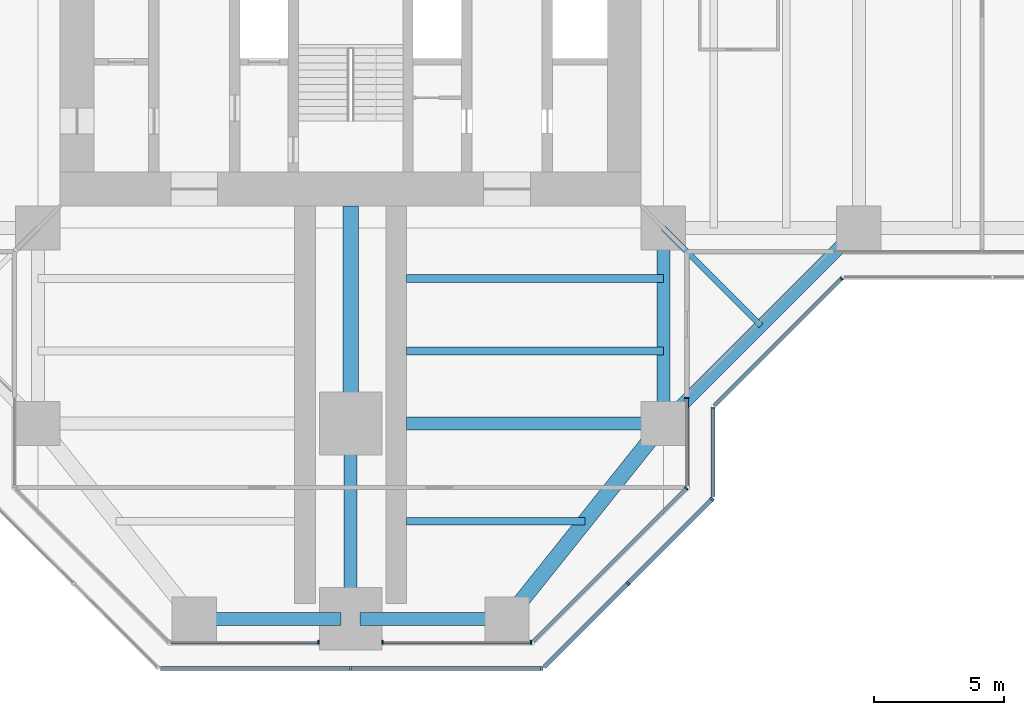
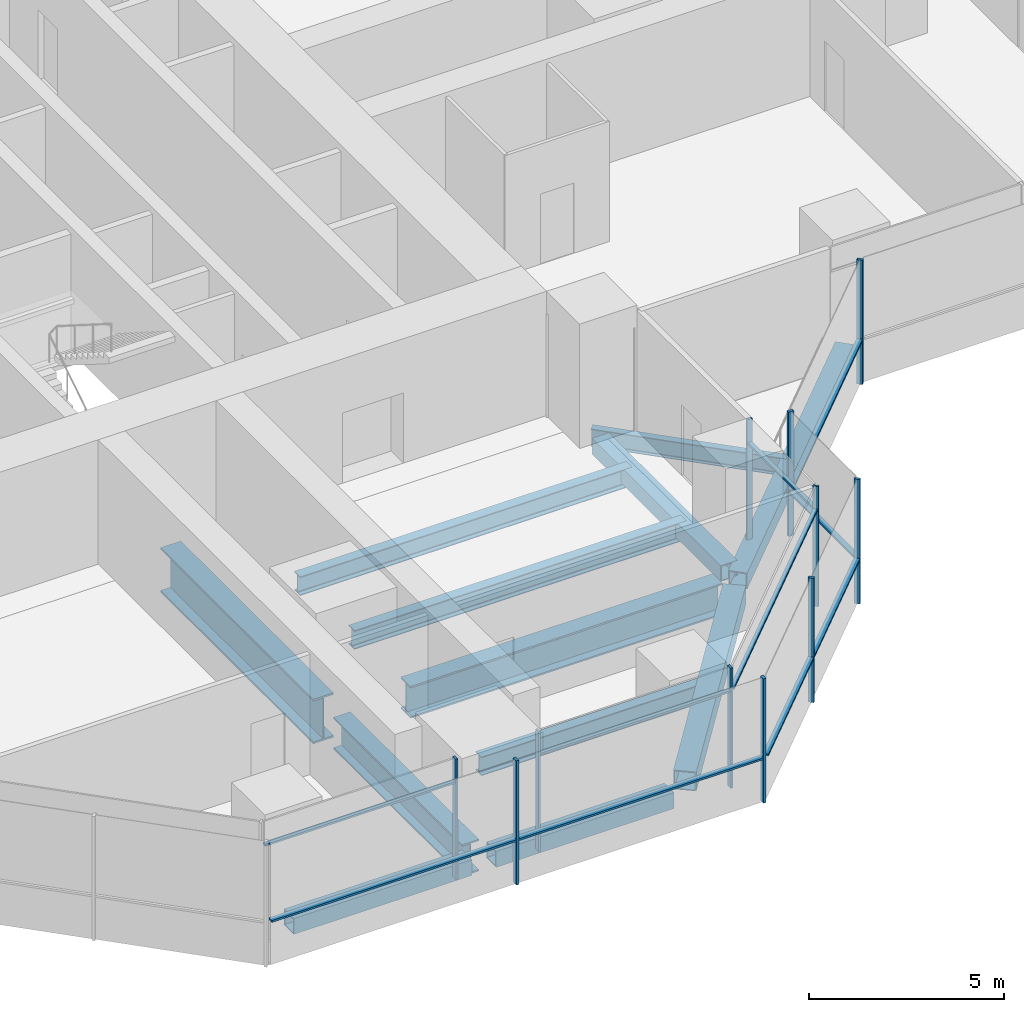
# One storey, part 4 of 20: 21 members, 12 beams, 8 elements without a shape of their own.
"""IFC4 building model written with IfcOpenShell, lengths in metres."""

from ifc_helpers import new_model, si_unit, direction, frame, origin, origin_2d, place, context, subcontext, project, spatial, rectangle, hollow_rectangle, i_section, extrude, material, material_profile, profile_set, type_object, element, aggregate, save


model = new_model("IFC4")

# Units and contexts
model_context = context("Model", 3, precision=1e-05, world=origin(), true_north=direction((0.0, 1.0)))
body_context = subcontext(model_context, "Body", "Model", "MODEL_VIEW")
ifc_project = project(units=[si_unit("LENGTHUNIT", "METRE"), si_unit("AREAUNIT", "SQUARE_METRE"), si_unit("VOLUMEUNIT", "CUBIC_METRE"), si_unit("PLANEANGLEUNIT", "RADIAN"), si_unit("MASSUNIT", "GRAM", prefix="KILO")], contexts=[model_context])

# Site, building, storey
site_placement = place(None, origin())
site = spatial("IfcSite", under=ifc_project, at=site_placement, CompositionType="ELEMENT")
building_placement = place(site_placement, origin())
building = spatial("IfcBuilding", under=site, at=building_placement, Name="Mizan Broadcast Tower", CompositionType="ELEMENT")
storey_placement = place(building_placement, frame((0.0, 0.0, 178.800048828125)))
storey = spatial("IfcBuildingStorey", under=building, at=storey_placement, Name="L41", CompositionType="ELEMENT", Elevation=178.800048828125)

# Beams
ifc_material_1 = material(Name="Steel S355", Category="steel")
ifc_material_profile_1 = material_profile(ifc_material_1, hollow_rectangle(XDim=0.5, YDim=0.5, WallThickness=0.030029296875, at=origin_2d()), Name="BOX 500x500x30")
ifc_profile_set_1 = profile_set([ifc_material_profile_1], Name="Steel S355")
beam_type_1 = type_object("IfcBeamType", Name="EDGE BEAM BOX 500x500x30", PredefinedType="SPANDREL", material=ifc_profile_set_1)
beam_1_placement = place(storey_placement, frame((-5.639892578125, -27.0, -0.380126953125), z_axis=(1.0, 0.0, 0.0), x_axis=(0.0, 1.0, 0.0)))
element("IfcBeam", 1, at=beam_1_placement, inside=storey, type_object=beam_type_1, Name="Edge beam BOX 500x500x30 L41 south arm", PredefinedType="SPANDREL", context=body_context, shape_type="SweptSolid", body=[
    extrude(hollow_rectangle(XDim=0.5, YDim=0.5, WallThickness=0.030029296875, at=origin_2d()), origin(), (0.0, 0.0, 1.0), 5.27978515625),
])
beam_2_placement = place(storey_placement, frame((12.0, -12.449951171875, -0.380126953125), z_axis=(0.0, -1.0, 0.0), x_axis=(1.0, 0.0, 0.0)))
element("IfcBeam", 2, at=beam_2_placement, inside=storey, type_object=beam_type_1, Name="Edge beam BOX 500x500x30 L41 south arm", PredefinedType="SPANDREL", context=body_context, shape_type="SweptSolid", body=[
    extrude(hollow_rectangle(XDim=0.5, YDim=0.5, WallThickness=0.030029296875, at=origin_2d()), origin(), (0.0, 0.0, 1.0), 6.60009765625),
])
beam_3_placement = place(storey_placement, frame((5.639892578125, -27.0, -0.380126953125), z_axis=(-1.0, 0.0, 0.0), x_axis=(0.0, -1.0, 0.0)))
element("IfcBeam", 3, at=beam_3_placement, inside=storey, type_object=beam_type_1, Name="Edge beam BOX 500x500x30 L41 south arm", PredefinedType="SPANDREL", context=body_context, shape_type="SweptSolid", body=[
    extrude(hollow_rectangle(XDim=0.5, YDim=0.5, WallThickness=0.030029296875, at=origin_2d()), origin(), (0.0, 0.0, 1.0), 5.27978515625),
])
beam_4_placement = place(storey_placement, frame((12.0, -19.5, -0.380126953125), z_axis=(0.707106781187, 0.707106781187, 0.0), x_axis=(-0.707106781187, 0.707106781187, 0.0)))
element("IfcBeam", 4, at=beam_4_placement, inside=storey, type_object=beam_type_1, Name="Winter garden edge beam L41 S", PredefinedType="SPANDREL", context=body_context, shape_type="SweptSolid", body=[
    extrude(hollow_rectangle(XDim=0.5, YDim=0.5, WallThickness=0.030029296875, at=origin_2d()), origin(), (0.0, 0.0, 1.0), 10.606689453125),
])
ifc_material_2 = material(Name="Steel S355", Category="steel")
ifc_material_profile_2 = material_profile(ifc_material_2, hollow_rectangle(XDim=0.60009765625, YDim=0.60009765625, WallThickness=0.030029296875, at=origin_2d()), Name="BOX 600x600x30")
ifc_profile_set_2 = profile_set([ifc_material_profile_2], Name="Steel S355")
beam_type_2 = type_object("IfcBeamType", Name="EDGE BEAM BOX 600x600x30", PredefinedType="SPANDREL", material=ifc_profile_set_2)
beam_5_placement = place(storey_placement, frame((11.639892578125, -19.949951171875, -0.429931640625), z_axis=(-0.624673911726, -0.780885717636, 0.0), x_axis=(0.780885717636, -0.624673911726, 0.0)))
element("IfcBeam", 5, at=beam_5_placement, inside=storey, type_object=beam_type_2, Name="Edge beam BOX 600x600x30 L41 south arm", PredefinedType="SPANDREL", context=body_context, shape_type="SweptSolid", body=[
    extrude(hollow_rectangle(XDim=0.60009765625, YDim=0.60009765625, WallThickness=0.030029296875, at=origin_2d()), origin(), (0.0, 0.0, 1.0), 8.4521484375),
])
ifc_material_3 = material(Name="Steel S460", Category="steel")
ifc_material_profile_3 = material_profile(ifc_material_3, i_section(OverallWidth=0.5, OverallDepth=1.0, WebThickness=0.02490234375, FlangeThickness=0.050048828125, at=origin_2d()), Name="WPG 1000x500")
ifc_profile_set_3 = profile_set([ifc_material_profile_3], Name="Steel S460")
beam_type_3 = type_object("IfcBeamType", Name="GIRDER WPG 1000x500", PredefinedType="BEAM", material=ifc_profile_set_3)
beam_6_placement = place(storey_placement, frame((0.0, -19.949951171875, -0.630126953125), z_axis=(0.0, -1.0, 0.0), x_axis=(1.0, 0.0, 0.0)))
element("IfcBeam", 6, at=beam_6_placement, inside=storey, type_object=beam_type_3, Name="Girder WPG 1000x500 L41 south arm", PredefinedType="BEAM", context=body_context, shape_type="SweptSolid", body=[
    extrude(i_section(OverallWidth=0.5, OverallDepth=1.0, WebThickness=0.02490234375, FlangeThickness=0.050048828125, at=origin_2d()), origin(), (0.0, 0.0, 1.0), 6.60009765625),
])
beam_7_placement = place(storey_placement, frame((11.408935546875, -19.5, -0.630126953125), z_axis=(-1.0, 0.0, 0.0), x_axis=(0.0, -1.0, 0.0)))
element("IfcBeam", 7, at=beam_7_placement, inside=storey, type_object=beam_type_3, Name="Girder WPG 1000x500 L41 south arm", PredefinedType="BEAM", context=body_context, shape_type="SweptSolid", body=[
    extrude(i_section(OverallWidth=0.5, OverallDepth=1.0, WebThickness=0.02490234375, FlangeThickness=0.050048828125, at=origin_2d()), origin(), (0.0, 0.0, 1.0), 9.259033203125),
])
ifc_material_4 = material(Name="Steel S460", Category="steel")
ifc_material_profile_4 = material_profile(ifc_material_4, i_section(OverallWidth=0.60009765625, OverallDepth=1.39990234375, WebThickness=0.02490234375, FlangeThickness=0.06005859375, at=origin_2d()), Name="WPG 1400x600")
ifc_profile_set_4 = profile_set([ifc_material_profile_4], Name="Steel S460")
beam_type_4 = type_object("IfcBeamType", Name="GIRDER WPG 1400x600", PredefinedType="BEAM", material=ifc_profile_set_4)
beam_8_placement = place(storey_placement, frame((0.0, -11.14990234375, -0.830078125), z_axis=(0.0, -1.0, 0.0), x_axis=(1.0, 0.0, 0.0)))
element("IfcBeam", 8, at=beam_8_placement, inside=storey, type_object=beam_type_4, Name="Girder WPG 1400x600 L41 south arm", PredefinedType="BEAM", context=body_context, shape_type="SweptSolid", body=[
    extrude(i_section(OverallWidth=0.60009765625, OverallDepth=1.39990234375, WebThickness=0.02490234375, FlangeThickness=0.06005859375, at=origin_2d()), origin(), (0.0, 0.0, 1.0), 7.84912109375),
])

# Curtain wall, member
ifc_material_5 = material(Name="Aluminium framed glazing", Category="aluminium")
curtain_wall_type_1 = type_object("IfcCurtainWallType", Name="INNER SKIN MID ZONE", PredefinedType="USERDEFINED", material=ifc_material_5)
curtain_wall_1_placement = place(storey_placement, origin())
curtain_wall_1 = element("IfcCurtainWall", 9, at=curtain_wall_1_placement, inside=storey, type_object=curtain_wall_type_1, Name="Inner skin mid zone L41 S end", ObjectType="INNER SKIN MID ZONE", PredefinedType="USERDEFINED")
ifc_material_6 = material(Name="Aluminium, pale anodised", Category="aluminium")
ifc_material_profile_5 = material_profile(ifc_material_6, rectangle(XDim=0.159912109375, YDim=0.06005859375, at=origin_2d()), Name="MULLION 160x60")
ifc_profile_set_5 = profile_set([ifc_material_profile_5], Name="Aluminium, pale anodised")
member_type_1 = type_object("IfcMemberType", Name="INNER SKIN MULLION 60x160", PredefinedType="MULLION", material=ifc_profile_set_5)
member_1_placement = place(storey_placement, frame((-1.22998046875, -27.89990234375, 0.0), z_axis=(0.0, 0.0, 1.0), x_axis=(0.0, 1.0, 0.0)))
member_1 = element("IfcMember", 10, at=member_1_placement, type_object=member_type_1, Name="Inner skin mid zone L41 S end mullion 2", PredefinedType="MULLION", context=body_context, shape_type="SweptSolid", body=[
    extrude(rectangle(XDim=0.159912109375, YDim=0.06005859375, at=origin_2d()), origin(), (0.0, 0.0, 1.0), 3.77001953125),
])

# Curtain wall, members
curtain_wall_2_placement = place(storey_placement, origin())
curtain_wall_2 = element("IfcCurtainWall", 11, at=curtain_wall_2_placement, inside=storey, type_object=curtain_wall_type_1, Name="Inner skin mid zone L41 S end", ObjectType="INNER SKIN MID ZONE", PredefinedType="USERDEFINED")
member_2_placement = place(storey_placement, frame((1.22998046875, -27.89990234375, 0.0), z_axis=(0.0, 0.0, 1.0), x_axis=(0.0, 1.0, 0.0)))
member_2 = element("IfcMember", 12, at=member_2_placement, type_object=member_type_1, Name="Inner skin mid zone L41 S end mullion 1", PredefinedType="MULLION", context=body_context, shape_type="SweptSolid", body=[
    extrude(rectangle(XDim=0.159912109375, YDim=0.06005859375, at=origin_2d()), origin(), (0.0, 0.0, 1.0), 3.77001953125),
])
member_3_placement = place(storey_placement, frame((6.928466796875, -27.89990234375, 0.0), z_axis=(0.0, 0.0, 1.0), x_axis=(0.0, 1.0, 0.0)))
member_3 = element("IfcMember", 13, at=member_3_placement, type_object=member_type_1, Name="Inner skin mid zone L41 S end mullion 2", PredefinedType="MULLION", context=body_context, shape_type="SweptSolid", body=[
    extrude(rectangle(XDim=0.159912109375, YDim=0.06005859375, at=origin_2d()), origin(), (0.0, 0.0, 1.0), 3.77001953125),
])

# Curtain wall, member
curtain_wall_3_placement = place(storey_placement, origin())
curtain_wall_3 = element("IfcCurtainWall", 14, at=curtain_wall_3_placement, inside=storey, type_object=curtain_wall_type_1, Name="Inner skin mid zone L41 S chamfer", ObjectType="INNER SKIN MID ZONE", PredefinedType="USERDEFINED")
member_4_placement = place(storey_placement, frame((12.87890625, -21.979736328125, 0.0), z_axis=(0.0, 0.0, 1.0), x_axis=(-0.707106781187, 0.707106781187, 0.0)))
member_4 = element("IfcMember", 15, at=member_4_placement, type_object=member_type_1, Name="Inner skin mid zone L41 S chamfer mullion 2", PredefinedType="MULLION", context=body_context, shape_type="SweptSolid", body=[
    extrude(rectangle(XDim=0.159912109375, YDim=0.06005859375, at=origin_2d()), origin(), (0.0, 0.0, 1.0), 3.77001953125),
])

curtain_wall_4_placement = place(storey_placement, origin())
curtain_wall_4 = element("IfcCurtainWall", 16, at=curtain_wall_4_placement, inside=storey, type_object=curtain_wall_type_1, Name="Inner skin mid zone L41 S side", ObjectType="INNER SKIN MID ZONE", PredefinedType="USERDEFINED")
member_5_placement = place(storey_placement, frame((12.89990234375, -18.530029296875, 0.0), z_axis=(0.0, 0.0, 1.0), x_axis=(-1.0, 0.0, 0.0)))
member_5 = element("IfcMember", 17, at=member_5_placement, type_object=member_type_1, Name="Inner skin mid zone L41 S side mullion 2", PredefinedType="MULLION", context=body_context, shape_type="SweptSolid", body=[
    extrude(rectangle(XDim=0.159912109375, YDim=0.06005859375, at=origin_2d()), origin(), (0.0, 0.0, 1.0), 3.77001953125),
])

# Member
ifc_material_7 = material(Name="Aluminium, pale anodised", Category="aluminium")
ifc_material_profile_6 = material_profile(ifc_material_7, rectangle(XDim=0.1201171875, YDim=0.06005859375, at=origin_2d()), Name="TRANSOM 120x60")
ifc_profile_set_6 = profile_set([ifc_material_profile_6], Name="Aluminium, pale anodised")
member_type_2 = type_object("IfcMemberType", Name="INNER SKIN TRANSOM 60x120", PredefinedType="USERDEFINED", material=ifc_profile_set_6)
member_6_placement = place(storey_placement, frame((-6.898681640625, -27.89990234375, 3.030029296875), z_axis=(1.0, 0.0, 0.0), x_axis=(0.0, 1.0, 0.0)))
member_6 = element("IfcMember", 18, at=member_6_placement, type_object=member_type_2, Name="Inner skin mid zone L41 S end transom 1.1", ObjectType="TRANSOM", PredefinedType="USERDEFINED", context=body_context, shape_type="SweptSolid", body=[
    extrude(rectangle(XDim=0.1201171875, YDim=0.06005859375, at=origin_2d()), origin(), (0.0, 0.0, 1.0), 5.638671875),
])

aggregate(curtain_wall_1, [member_1, member_6])

member_7_placement = place(storey_placement, frame((1.260009765625, -27.89990234375, 3.030029296875), z_axis=(1.0, 0.0, 0.0), x_axis=(0.0, 1.0, 0.0)))
member_7 = element("IfcMember", 19, at=member_7_placement, type_object=member_type_2, Name="Inner skin mid zone L41 S end transom 1.1", ObjectType="TRANSOM", PredefinedType="USERDEFINED", context=body_context, shape_type="SweptSolid", body=[
    extrude(rectangle(XDim=0.1201171875, YDim=0.06005859375, at=origin_2d()), origin(), (0.0, 0.0, 1.0), 5.638671875),
])

aggregate(curtain_wall_2, [member_2, member_3, member_7])

member_8_placement = place(storey_placement, frame((7.0009765625, -27.857666015625, 3.030029296875), z_axis=(0.707106781187, 0.707106781187, 0.0), x_axis=(-0.707106781187, 0.707106781187, 0.0)))
member_8 = element("IfcMember", 20, at=member_8_placement, type_object=member_type_2, Name="Inner skin mid zone L41 S chamfer transom 1.1", ObjectType="TRANSOM", PredefinedType="USERDEFINED", context=body_context, shape_type="SweptSolid", body=[
    extrude(rectangle(XDim=0.1201171875, YDim=0.06005859375, at=origin_2d()), origin(), (0.0, 0.0, 1.0), 8.28271484375),
])

aggregate(curtain_wall_3, [member_4, member_8])

member_9_placement = place(storey_placement, frame((12.89990234375, -21.898681640625, 3.030029296875), z_axis=(0.0, 1.0, 0.0), x_axis=(-1.0, 0.0, 0.0)))
member_9 = element("IfcMember", 21, at=member_9_placement, type_object=member_type_2, Name="Inner skin mid zone L41 S side transom 1.1", ObjectType="TRANSOM", PredefinedType="USERDEFINED", context=body_context, shape_type="SweptSolid", body=[
    extrude(rectangle(XDim=0.1201171875, YDim=0.06005859375, at=origin_2d()), origin(), (0.0, 0.0, 1.0), 3.338623046875),
])

aggregate(curtain_wall_4, [member_5, member_9])

# Curtain wall, members
ifc_material_8 = material(Name="Aluminium framed glazing", Category="aluminium")
curtain_wall_type_2 = type_object("IfcCurtainWallType", Name="OUTER SKIN", PredefinedType="USERDEFINED", material=ifc_material_8)
curtain_wall_5_placement = place(storey_placement, origin())
curtain_wall_5 = element("IfcCurtainWall", 22, at=curtain_wall_5_placement, inside=storey, type_object=curtain_wall_type_2, Name="Outer skin L41 S end", ObjectType="OUTER SKIN", PredefinedType="USERDEFINED")
ifc_material_9 = material(Name="Aluminium, pale anodised", Category="aluminium")
ifc_material_profile_7 = material_profile(ifc_material_9, rectangle(XDim=0.159912109375, YDim=0.080078125, at=origin_2d()), Name="MULLION 160x80")
ifc_profile_set_7 = profile_set([ifc_material_profile_7], Name="Aluminium, pale anodised")
member_type_3 = type_object("IfcMemberType", Name="OUTER SKIN MULLION 80x160", PredefinedType="MULLION", material=ifc_profile_set_7)
member_10_placement = place(storey_placement, frame((0.0, -28.89990234375, 0.0), z_axis=(0.0, 0.0, 1.0), x_axis=(0.0, 1.0, 0.0)))
member_10 = element("IfcMember", 23, at=member_10_placement, type_object=member_type_3, Name="Outer skin L41 S end mullion 2", PredefinedType="MULLION", context=body_context, shape_type="SweptSolid", body=[
    extrude(rectangle(XDim=0.159912109375, YDim=0.080078125, at=origin_2d()), origin(), (0.0, 0.0, 1.0), 3.89990234375),
])
member_11_placement = place(storey_placement, frame((7.332763671875, -28.89990234375, 0.0), z_axis=(0.0, 0.0, 1.0), x_axis=(0.0, 1.0, 0.0)))
member_11 = element("IfcMember", 24, at=member_11_placement, type_object=member_type_3, Name="Outer skin L41 S end mullion 3", PredefinedType="MULLION", context=body_context, shape_type="SweptSolid", body=[
    extrude(rectangle(XDim=0.159912109375, YDim=0.080078125, at=origin_2d()), origin(), (0.0, 0.0, 1.0), 3.89990234375),
])

curtain_wall_6_placement = place(storey_placement, origin())
curtain_wall_6 = element("IfcCurtainWall", 25, at=curtain_wall_6_placement, inside=storey, type_object=curtain_wall_type_2, Name="Outer skin L41 S chamfer", ObjectType="OUTER SKIN", PredefinedType="USERDEFINED")
member_12_placement = place(storey_placement, frame((10.636474609375, -25.636474609375, 0.0), z_axis=(0.0, 0.0, 1.0), x_axis=(-0.707106781187, 0.707106781187, 0.0)))
member_12 = element("IfcMember", 26, at=member_12_placement, type_object=member_type_3, Name="Outer skin L41 S chamfer mullion 2", PredefinedType="MULLION", context=body_context, shape_type="SweptSolid", body=[
    extrude(rectangle(XDim=0.159912109375, YDim=0.080078125, at=origin_2d()), origin(), (0.0, 0.0, 1.0), 3.89990234375),
])
member_13_placement = place(storey_placement, frame((13.871826171875, -22.401123046875, 0.0), z_axis=(0.0, 0.0, 1.0), x_axis=(-0.707106781187, 0.707106781187, 0.0)))
member_13 = element("IfcMember", 27, at=member_13_placement, type_object=member_type_3, Name="Outer skin L41 S chamfer mullion 3", PredefinedType="MULLION", context=body_context, shape_type="SweptSolid", body=[
    extrude(rectangle(XDim=0.159912109375, YDim=0.080078125, at=origin_2d()), origin(), (0.0, 0.0, 1.0), 3.89990234375),
])

# Curtain wall, member
curtain_wall_7_placement = place(storey_placement, origin())
curtain_wall_7 = element("IfcCurtainWall", 28, at=curtain_wall_7_placement, inside=storey, type_object=curtain_wall_type_2, Name="Outer skin L41 S side", ObjectType="OUTER SKIN", PredefinedType="USERDEFINED")
member_14_placement = place(storey_placement, frame((13.89990234375, -18.912841796875, 0.0), z_axis=(0.0, 0.0, 1.0), x_axis=(-1.0, 0.0, 0.0)))
member_14 = element("IfcMember", 29, at=member_14_placement, type_object=member_type_3, Name="Outer skin L41 S side mullion 2", PredefinedType="MULLION", context=body_context, shape_type="SweptSolid", body=[
    extrude(rectangle(XDim=0.159912109375, YDim=0.080078125, at=origin_2d()), origin(), (0.0, 0.0, 1.0), 3.89990234375),
])

curtain_wall_8_placement = place(storey_placement, origin())
curtain_wall_8 = element("IfcCurtainWall", 30, at=curtain_wall_8_placement, inside=storey, type_object=curtain_wall_type_2, Name="Outer skin L41 E chamfer", ObjectType="OUTER SKIN", PredefinedType="USERDEFINED")
member_15_placement = place(storey_placement, frame((18.844482421875, -13.92822265625, 0.0), z_axis=(0.0, 0.0, 1.0), x_axis=(-0.707106781187, 0.707106781187, 0.0)))
member_15 = element("IfcMember", 31, at=member_15_placement, type_object=member_type_3, Name="Outer skin L41 E chamfer mullion 2", PredefinedType="MULLION", context=body_context, shape_type="SweptSolid", body=[
    extrude(rectangle(XDim=0.159912109375, YDim=0.080078125, at=origin_2d()), origin(), (0.0, 0.0, 1.0), 3.89990234375),
])

# Member
ifc_material_10 = material(Name="Aluminium, pale anodised", Category="aluminium")
ifc_material_profile_8 = material_profile(ifc_material_10, rectangle(XDim=0.159912109375, YDim=0.06005859375, at=origin_2d()), Name="TRANSOM 160x60")
ifc_profile_set_8 = profile_set([ifc_material_profile_8], Name="Aluminium, pale anodised")
member_type_4 = type_object("IfcMemberType", Name="OUTER SKIN TRANSOM 60x160", PredefinedType="USERDEFINED", material=ifc_profile_set_8)
member_16_placement = place(storey_placement, frame((-7.292724609375, -28.89990234375, 1.39990234375), z_axis=(1.0, 0.0, 0.0), x_axis=(0.0, 1.0, 0.0)))
member_16 = element("IfcMember", 32, at=member_16_placement, type_object=member_type_4, Name="Outer skin L41 S end transom 1.1", ObjectType="TRANSOM", PredefinedType="USERDEFINED", context=body_context, shape_type="SweptSolid", body=[
    extrude(rectangle(XDim=0.159912109375, YDim=0.06005859375, at=origin_2d()), origin(), (0.0, 0.0, 1.0), 7.252685546875),
])

member_17_placement = place(storey_placement, frame((0.0400390625, -28.89990234375, 1.39990234375), z_axis=(1.0, 0.0, 0.0), x_axis=(0.0, 1.0, 0.0)))
member_17 = element("IfcMember", 33, at=member_17_placement, type_object=member_type_4, Name="Outer skin L41 S end transom 2.1", ObjectType="TRANSOM", PredefinedType="USERDEFINED", context=body_context, shape_type="SweptSolid", body=[
    extrude(rectangle(XDim=0.159912109375, YDim=0.06005859375, at=origin_2d()), origin(), (0.0, 0.0, 1.0), 7.252685546875),
])

aggregate(curtain_wall_5, [member_10, member_11, member_16, member_17])

member_18_placement = place(storey_placement, frame((7.429443359375, -28.843505859375, 1.39990234375), z_axis=(0.707106781187, 0.707106781187, 0.0), x_axis=(-0.707106781187, 0.707106781187, 0.0)))
member_18 = element("IfcMember", 34, at=member_18_placement, type_object=member_type_4, Name="Outer skin L41 S chamfer transom 1.1", ObjectType="TRANSOM", PredefinedType="USERDEFINED", context=body_context, shape_type="SweptSolid", body=[
    extrude(rectangle(XDim=0.159912109375, YDim=0.06005859375, at=origin_2d()), origin(), (0.0, 0.0, 1.0), 4.495361328125),
])

member_19_placement = place(storey_placement, frame((10.664794921875, -25.608154296875, 1.39990234375), z_axis=(0.707106781187, 0.707106781187, 0.0), x_axis=(-0.707106781187, 0.707106781187, 0.0)))
member_19 = element("IfcMember", 35, at=member_19_placement, type_object=member_type_4, Name="Outer skin L41 S chamfer transom 2.1", ObjectType="TRANSOM", PredefinedType="USERDEFINED", context=body_context, shape_type="SweptSolid", body=[
    extrude(rectangle(XDim=0.159912109375, YDim=0.06005859375, at=origin_2d()), origin(), (0.0, 0.0, 1.0), 4.495361328125),
])

aggregate(curtain_wall_6, [member_12, member_13, member_18, member_19])

member_20_placement = place(storey_placement, frame((13.89990234375, -22.292724609375, 1.39990234375), z_axis=(0.0, 1.0, 0.0), x_axis=(-1.0, 0.0, 0.0)))
member_20 = element("IfcMember", 36, at=member_20_placement, type_object=member_type_4, Name="Outer skin L41 S side transom 1.1", ObjectType="TRANSOM", PredefinedType="USERDEFINED", context=body_context, shape_type="SweptSolid", body=[
    extrude(rectangle(XDim=0.159912109375, YDim=0.06005859375, at=origin_2d()), origin(), (0.0, 0.0, 1.0), 3.33984375),
])

aggregate(curtain_wall_7, [member_14, member_20])

member_21_placement = place(storey_placement, frame((13.95654296875, -18.816162109375, 1.39990234375), z_axis=(0.707106781187, 0.707106781187, 0.0), x_axis=(-0.707106781187, 0.707106781187, 0.0)))
member_21 = element("IfcMember", 37, at=member_21_placement, type_object=member_type_4, Name="Outer skin L41 E chamfer transom 1.1", ObjectType="TRANSOM", PredefinedType="USERDEFINED", context=body_context, shape_type="SweptSolid", body=[
    extrude(rectangle(XDim=0.159912109375, YDim=0.06005859375, at=origin_2d()), origin(), (0.0, 0.0, 1.0), 6.87255859375),
])

aggregate(curtain_wall_8, [member_15, member_21])

# Beams
ifc_material_11 = material(Name="Steel S355", Category="steel")
ifc_material_profile_9 = material_profile(ifc_material_11, i_section(OverallWidth=0.300048828125, OverallDepth=0.590087890625, WebThickness=0.012939453125, FlangeThickness=0.02490234375, FilletRadius=0.027099609375, at=origin_2d()), Name="HEA 600")
ifc_profile_set_9 = profile_set([ifc_material_profile_9], Name="Steel S355")
beam_type_5 = type_object("IfcBeamType", Name="SECONDARY BEAM HEA 600", PredefinedType="JOIST", material=ifc_profile_set_9)
for number, where, z_axis, x_axis, name in (
    (38, (12.0, -13.933349609375, -0.425048828125), (-1.0, 0.0, 0.0), (0.0, -1.0, 0.0), "Secondary beam HEA 600 L41 south arm"),
    (39, (12.0, -16.716552734375, -0.425048828125), (-1.0, 0.0, 0.0), (0.0, -1.0, 0.0), "Secondary beam HEA 600 L41 south arm"),
):
    element("IfcBeam", number, at=place(storey_placement, frame(where, z_axis=z_axis, x_axis=x_axis)), inside=storey, type_object=beam_type_5, Name=name, PredefinedType="JOIST", context=body_context, shape_type="SweptSolid", body=[
        extrude(i_section(OverallWidth=0.300048828125, OverallDepth=0.590087890625, WebThickness=0.012939453125, FlangeThickness=0.02490234375, FilletRadius=0.027099609375, at=origin_2d()), origin(), (0.0, 0.0, 1.0), 9.85009765625),
    ])
beam_9_placement = place(storey_placement, frame((9.0, -23.25, -0.425048828125), z_axis=(-1.0, 0.0, 0.0), x_axis=(0.0, -1.0, 0.0)))
element("IfcBeam", 40, at=beam_9_placement, inside=storey, type_object=beam_type_5, Name="Secondary beam HEA 600 L41 south arm", PredefinedType="JOIST", context=body_context, shape_type="SweptSolid", body=[
    extrude(i_section(OverallWidth=0.300048828125, OverallDepth=0.590087890625, WebThickness=0.012939453125, FlangeThickness=0.02490234375, FilletRadius=0.027099609375, at=origin_2d()), origin(), (0.0, 0.0, 1.0), 6.85009765625),
])
ifc_material_12 = material(Name="Steel S355", Category="steel")
ifc_material_profile_10 = material_profile(ifc_material_12, i_section(OverallWidth=0.2099609375, OverallDepth=0.550048828125, WebThickness=0.010986328125, FlangeThickness=0.01708984375, FilletRadius=0.02392578125, at=origin_2d()), Name="IPE 550")
ifc_profile_set_10 = profile_set([ifc_material_profile_10], Name="Steel S355")
beam_type_6 = type_object("IfcBeamType", Name="SECONDARY BEAM IPE 550", PredefinedType="JOIST", material=ifc_profile_set_10)
beam_10_placement = place(storey_placement, frame((12.0, -12.0, -0.405029296875), z_axis=(0.707106781187, -0.707106781187, 0.0), x_axis=(0.707106781187, 0.707106781187, 0.0)))
element("IfcBeam", 41, at=beam_10_placement, inside=storey, type_object=beam_type_6, Name="Winter garden beam L41 S", PredefinedType="JOIST", context=body_context, shape_type="SweptSolid", body=[
    extrude(i_section(OverallWidth=0.2099609375, OverallDepth=0.550048828125, WebThickness=0.010986328125, FlangeThickness=0.01708984375, FilletRadius=0.02392578125, at=origin_2d()), origin(), (0.0, 0.0, 1.0), 5.30322265625),
])

save(model, "model.ifc")
